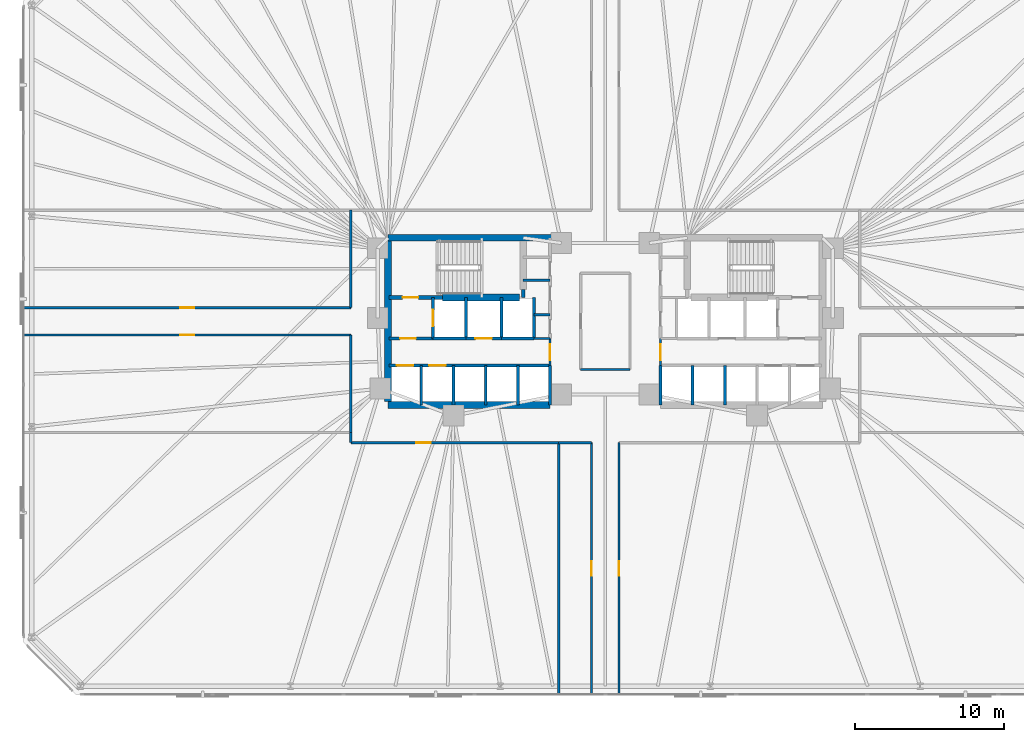
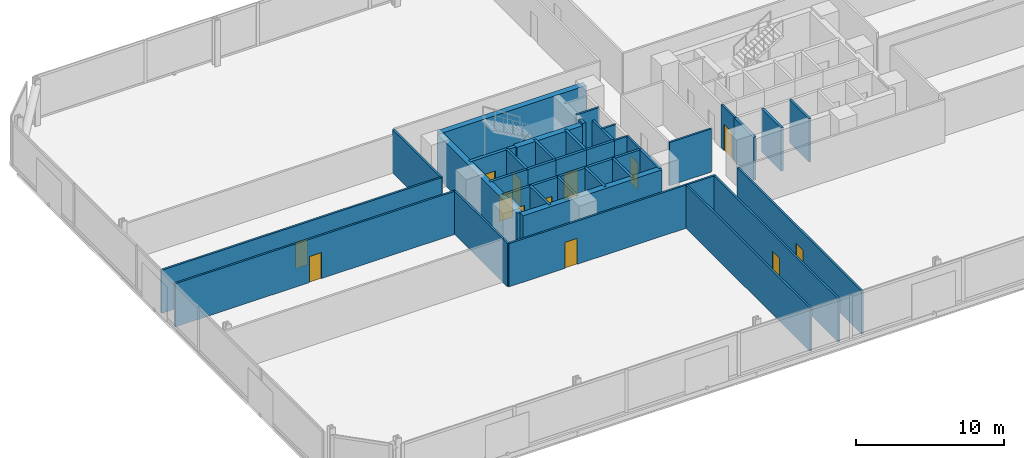
# One storey, part 12 of 16: 39 walls, 13 doors, 13 openings.
"""IFC4 building model written with IfcOpenShell, lengths in metres."""

from ifc_helpers import new_model, si_unit, direction, frame, frame_2d, origin, place, context, subcontext, project, spatial, rectangle, extrude, material, layer, layer_set, type_object, element, fill, save


model = new_model("IFC4")

# Units and contexts
model_context = context("Model", 3, precision=1e-05, world=origin(), true_north=direction((0.0, 1.0)))
body_context = subcontext(model_context, "Body", "Model", "MODEL_VIEW")
ifc_project = project(units=[si_unit("LENGTHUNIT", "METRE"), si_unit("AREAUNIT", "SQUARE_METRE"), si_unit("VOLUMEUNIT", "CUBIC_METRE"), si_unit("PLANEANGLEUNIT", "RADIAN"), si_unit("MASSUNIT", "GRAM", prefix="KILO")], contexts=[model_context])

# Site, building, storey
site_placement = place(None, origin())
site = spatial("IfcSite", under=ifc_project, at=site_placement, CompositionType="ELEMENT")
building_placement = place(site_placement, origin())
building = spatial("IfcBuilding", under=site, at=building_placement, Name="Menara Jurai Vektor", CompositionType="ELEMENT")
storey_placement = place(building_placement, frame((0.0, 0.0, 67.39990234375)))
storey = spatial("IfcBuildingStorey", under=building, at=storey_placement, Name="L16", CompositionType="ELEMENT", Elevation=67.39990234375)

# Wall, opening, door
ifc_material_1 = material(Name="Concrete C40/50", Category="concrete")
ifc_layer_1 = layer(ifc_material_1, 0.25)
ifc_layer_set_1 = layer_set([ifc_layer_1], Name="Concrete C40/50")
wall_type_1 = type_object("IfcWallType", Name="INT-WALL-CORE-250", PredefinedType="STANDARD", material=ifc_layer_set_1)
wall_1_placement = place(storey_placement, frame((-14.5, 1.60009765625, 0.0), z_axis=(0.0, 0.0, 1.0), x_axis=(1.0, 0.0, 0.0)))
wall_1 = element("IfcWall", 1, at=wall_1_placement, inside=storey, type_object=wall_type_1, Name="Interior Wall IW-250 L16", PredefinedType="STANDARD", context=body_context, shape_type="SweptSolid", body=[
    extrude(rectangle(XDim=3.60009765625, YDim=0.25, at=frame_2d((1.800048828125, 0.0))), origin(), (0.0, 0.0, 1.0), 3.5751953125),
])
opening_1_placement = place(wall_1_placement, frame((0.919921875, 0.0, 0.0)))
opening_1 = element("IfcOpeningElement", 2, at=opening_1_placement, cuts=wall_1, Name="Opening D-L16-ST1", PredefinedType="OPENING", context=body_context, shape_type="SweptSolid", body=[
    extrude(rectangle(XDim=1.050048828125, YDim=2.14990234375, at=frame_2d((0.52490234375, 1.074951171875))), frame((0.0, 0.135009765625, 0.0), z_axis=(0.0, -1.0, 0.0), x_axis=(1.0, 0.0, 0.0)), (0.0, 0.0, 1.0), 0.27001953125),
])
ifc_material_2 = material(Name="Fire-Rated Steel Door", Category="steel")
door_type_1 = type_object("IfcDoorType", Name="DR-STAIR-1050", OperationType="NOTDEFINED", PredefinedType="DOOR", material=ifc_material_2)
door_1_placement = place(opening_1_placement, origin())
door_1 = element("IfcDoor", 3, at=door_1_placement, inside=storey, type_object=door_type_1, Name="Exit Stair ST1 Door L16", OperationType="SINGLE_SWING_RIGHT", OverallHeight=2.14990234375, OverallWidth=1.050048828125, PredefinedType="DOOR", context=body_context, shape_type="SweptSolid", body=[
    extrude(rectangle(XDim=1.050048828125, YDim=2.14990234375, at=frame_2d((0.52490234375, 1.074951171875))), frame((0.0, 0.02490234375, 0.0), z_axis=(0.0, -1.0, 0.0), x_axis=(1.0, 0.0, 0.0)), (0.0, 0.0, 1.0), 0.050048828125),
])
fill(opening_1, door_1)

# Wall
wall_2_placement = place(storey_placement, frame((-5.5, 1.60009765625, 0.0), z_axis=(0.0, 0.0, 1.0), x_axis=(0.0, 1.0, 0.0)))
element("IfcWall", 4, at=wall_2_placement, inside=storey, type_object=wall_type_1, Name="Interior Wall IW-250 L16", PredefinedType="STANDARD", context=body_context, shape_type="SweptSolid", body=[
    extrude(rectangle(XDim=0.5498046875, YDim=0.25, at=frame_2d((0.27490234375, 0.0))), origin(), (0.0, 0.0, 1.0), 3.5751953125),
])

# Wall, opening, door
wall_3_placement = place(storey_placement, frame((-11.550048828125, -1.14990234375, 0.0), z_axis=(0.0, 0.0, 1.0), x_axis=(0.0, 1.0, 0.0)))
wall_3 = element("IfcWall", 5, at=wall_3_placement, inside=storey, type_object=wall_type_1, Name="Interior Wall IW-250 L16", PredefinedType="STANDARD", context=body_context, shape_type="SweptSolid", body=[
    extrude(rectangle(XDim=2.75, YDim=0.199951171875, at=frame_2d((1.375, 0.0))), origin(), (0.0, 0.0, 1.0), 3.5751953125),
])
opening_2_placement = place(wall_3_placement, frame((0.824951171875, 0.0, 0.0)))
opening_2 = element("IfcOpeningElement", 6, at=opening_2_placement, cuts=wall_3, Name="Opening LD-L16-FL1", PredefinedType="OPENING", context=body_context, shape_type="SweptSolid", body=[
    extrude(rectangle(XDim=1.10009765625, YDim=2.14990234375, at=frame_2d((0.550048828125, 1.074951171875))), frame((0.0, 0.10986328125, 0.0), z_axis=(0.0, -1.0, 0.0), x_axis=(1.0, 0.0, 0.0)), (0.0, 0.0, 1.0), 0.219970703125),
])
ifc_material_3 = material(Name="Stainless Steel Sliding Lift Landing Door", Category="steel")
door_type_2 = type_object("IfcDoorType", Name="DR-LIFT-FIRE-1100", OperationType="NOTDEFINED", PredefinedType="DOOR", material=ifc_material_3)
door_2_placement = place(opening_2_placement, origin())
door_2 = element("IfcDoor", 7, at=door_2_placement, inside=storey, type_object=door_type_2, Name="Lift Landing Door FL1 L16", OperationType="SLIDING_TO_RIGHT", OverallHeight=2.14990234375, OverallWidth=1.10009765625, PredefinedType="DOOR", context=body_context, shape_type="SweptSolid", body=[
    extrude(rectangle(XDim=1.10009765625, YDim=2.14990234375, at=frame_2d((0.550048828125, 1.074951171875))), frame((0.0, 0.02490234375, 0.0), z_axis=(0.0, -1.0, 0.0), x_axis=(1.0, 0.0, 0.0)), (0.0, 0.0, 1.0), 0.050048828125),
])
fill(opening_2, door_2)

# Wall
wall_4_placement = place(storey_placement, frame((-9.35009765625, -1.14990234375, 0.0), z_axis=(0.0, 0.0, 1.0), x_axis=(0.0, 1.0, 0.0)))
element("IfcWall", 8, at=wall_4_placement, inside=storey, type_object=wall_type_1, Name="Interior Wall IW-250 L16", PredefinedType="STANDARD", context=body_context, shape_type="SweptSolid", body=[
    extrude(rectangle(XDim=2.75, YDim=0.199951171875, at=frame_2d((1.375, 0.0))), origin(), (0.0, 0.0, 1.0), 3.5751953125),
])

# Wall, opening, door
wall_5_placement = place(storey_placement, frame((-14.5, -1.14990234375, 0.0), z_axis=(0.0, 0.0, 1.0), x_axis=(1.0, 0.0, 0.0)))
wall_5 = element("IfcWall", 9, at=wall_5_placement, inside=storey, type_object=wall_type_1, Name="Interior Wall IW-250 L16", PredefinedType="STANDARD", context=body_context, shape_type="SweptSolid", body=[
    extrude(rectangle(XDim=2.949951171875, YDim=0.199951171875, at=frame_2d((1.47509765625, 0.0))), origin(), (0.0, 0.0, 1.0), 3.5751953125),
])
opening_3_placement = place(wall_5_placement, frame((0.75, 0.0, 0.0)))
opening_3 = element("IfcOpeningElement", 10, at=opening_3_placement, cuts=wall_5, Name="Opening D-L16-FFW", PredefinedType="OPENING", context=body_context, shape_type="SweptSolid", body=[
    extrude(rectangle(XDim=1.050048828125, YDim=2.179931640625, at=frame_2d((0.52490234375, 1.08984375))), frame((0.0, 0.10986328125, 0.0), z_axis=(0.0, -1.0, 0.0), x_axis=(1.0, 0.0, 0.0)), (0.0, 0.0, 1.0), 0.219970703125),
])
ifc_material_4 = material(Name="Fire-Rated Timber Door", Category="wood")
door_type_3 = type_object("IfcDoorType", Name="DR-LOBBY-1050", OperationType="NOTDEFINED", PredefinedType="DOOR", material=ifc_material_4)
door_3_placement = place(opening_3_placement, origin())
door_3 = element("IfcDoor", 11, at=door_3_placement, inside=storey, type_object=door_type_3, Name="Fire Lift Lobby Door W L16", OperationType="SINGLE_SWING_RIGHT", OverallHeight=2.179931640625, OverallWidth=1.050048828125, PredefinedType="DOOR", context=body_context, shape_type="SweptSolid", body=[
    extrude(rectangle(XDim=1.050048828125, YDim=2.179931640625, at=frame_2d((0.52490234375, 1.08984375))), frame((0.0, 0.02490234375, 0.0), z_axis=(0.0, -1.0, 0.0), x_axis=(1.0, 0.0, 0.0)), (0.0, 0.0, 1.0), 0.050048828125),
])
fill(opening_3, door_3)

# Wall
wall_6_placement = place(storey_placement, frame((-11.550048828125, -1.14990234375, 0.0), z_axis=(0.0, 0.0, 1.0), x_axis=(1.0, 0.0, 0.0)))
element("IfcWall", 12, at=wall_6_placement, inside=storey, type_object=wall_type_1, Name="Interior Wall IW-250 L16", PredefinedType="STANDARD", context=body_context, shape_type="SweptSolid", body=[
    extrude(rectangle(XDim=2.199951171875, YDim=0.199951171875, at=frame_2d((1.10009765625, 0.0))), origin(), (0.0, 0.0, 1.0), 3.5751953125),
])

# Wall, opening, door
ifc_material_5 = material(Name="Gypsum Fireboard Partition", Category="gypsum")
ifc_layer_2 = layer(ifc_material_5, 0.14990234375)
ifc_layer_set_2 = layer_set([ifc_layer_2], Name="Gypsum Fireboard Partition")
wall_type_2 = type_object("IfcWallType", Name="INT-WALL-CORR-150", PredefinedType="PARTITIONING", material=ifc_layer_set_2)
wall_7_placement = place(storey_placement, frame((-3.699951171875, -2.949951171875, 0.0), z_axis=(0.0, 0.0, 1.0), x_axis=(0.0, 1.0, 0.0)))
wall_7 = element("IfcWall", 13, at=wall_7_placement, inside=storey, type_object=wall_type_2, Name="Interior Wall IW-150 L16", PredefinedType="PARTITIONING", context=body_context, shape_type="SweptSolid", body=[
    extrude(rectangle(XDim=1.800048828125, YDim=0.14990234375, at=frame_2d((0.89990234375, 0.0))), origin(), (0.0, 0.0, 1.0), 3.5751953125),
])
opening_4_placement = place(wall_7_placement, frame((0.35009765625, 0.0, 0.0)))
opening_4 = element("IfcOpeningElement", 14, at=opening_4_placement, cuts=wall_7, Name="Opening D-L16-LLW", PredefinedType="OPENING", context=body_context, shape_type="SweptSolid", body=[
    extrude(rectangle(XDim=1.050048828125, YDim=2.179931640625, at=frame_2d((0.52490234375, 1.08984375))), frame((0.0, 0.0849609375, 0.0), z_axis=(0.0, -1.0, 0.0), x_axis=(1.0, 0.0, 0.0)), (0.0, 0.0, 1.0), 0.169921875),
])
door_4_placement = place(opening_4_placement, origin())
door_4 = element("IfcDoor", 15, at=door_4_placement, inside=storey, type_object=door_type_3, Name="Lift Lobby Corridor Door W L16", OperationType="SINGLE_SWING_LEFT", OverallHeight=2.179931640625, OverallWidth=1.050048828125, PredefinedType="DOOR", context=body_context, shape_type="SweptSolid", body=[
    extrude(rectangle(XDim=1.050048828125, YDim=2.179931640625, at=frame_2d((0.52490234375, 1.08984375))), frame((0.0, 0.02490234375, 0.0), z_axis=(0.0, -1.0, 0.0), x_axis=(1.0, 0.0, 0.0)), (0.0, 0.0, 1.0), 0.050048828125),
])
fill(opening_4, door_4)

# Wall
wall_8_placement = place(storey_placement, frame((-4.7900390625, -1.14990234375, 0.0), z_axis=(0.0, 0.0, 1.0), x_axis=(1.0, 0.0, 0.0)))
element("IfcWall", 16, at=wall_8_placement, inside=storey, type_object=wall_type_2, Name="Interior Wall IW-150 L16", PredefinedType="PARTITIONING", context=body_context, shape_type="SweptSolid", body=[
    extrude(rectangle(XDim=1.090087890625, YDim=0.14990234375, at=frame_2d((0.544921875, 0.0))), origin(), (0.0, 0.0, 1.0), 3.5751953125),
])

# Wall, opening, door
wall_9_placement = place(storey_placement, frame((3.699951171875, -2.949951171875, 0.0), z_axis=(0.0, 0.0, 1.0), x_axis=(0.0, 1.0, 0.0)))
wall_9 = element("IfcWall", 17, at=wall_9_placement, inside=storey, type_object=wall_type_2, Name="Interior Wall IW-150 L16", PredefinedType="PARTITIONING", context=body_context, shape_type="SweptSolid", body=[
    extrude(rectangle(XDim=1.800048828125, YDim=0.14990234375, at=frame_2d((0.89990234375, 0.0))), origin(), (0.0, 0.0, 1.0), 3.5751953125),
])
opening_5_placement = place(wall_9_placement, frame((0.35009765625, 0.0, 0.0)))
opening_5 = element("IfcOpeningElement", 18, at=opening_5_placement, cuts=wall_9, Name="Opening D-L16-LLE", PredefinedType="OPENING", context=body_context, shape_type="SweptSolid", body=[
    extrude(rectangle(XDim=1.050048828125, YDim=2.179931640625, at=frame_2d((0.52490234375, 1.08984375))), frame((0.0, 0.0849609375, 0.0), z_axis=(0.0, -1.0, 0.0), x_axis=(1.0, 0.0, 0.0)), (0.0, 0.0, 1.0), 0.169921875),
])
door_5_placement = place(opening_5_placement, frame((1.050048828125, 0.0, 0.0), z_axis=(0.0, 0.0, 1.0), x_axis=(-1.0, 0.0, 0.0)))
door_5 = element("IfcDoor", 19, at=door_5_placement, inside=storey, type_object=door_type_3, Name="Lift Lobby Corridor Door E L16", OperationType="SINGLE_SWING_RIGHT", OverallHeight=2.179931640625, OverallWidth=1.050048828125, PredefinedType="DOOR", context=body_context, shape_type="SweptSolid", body=[
    extrude(rectangle(XDim=1.050048828125, YDim=2.179931640625, at=frame_2d((0.52490234375, 1.08984375))), frame((0.0, 0.02490234375, 0.0), z_axis=(0.0, -1.0, 0.0), x_axis=(1.0, 0.0, 0.0)), (0.0, 0.0, 1.0), 0.050048828125),
])
fill(opening_5, door_5)

# Walls
wall_10_placement = place(storey_placement, frame((-4.7900390625, 0.449951171875, 0.0), z_axis=(0.0, 0.0, 1.0), x_axis=(1.0, 0.0, 0.0)))
element("IfcWall", 20, at=wall_10_placement, inside=storey, type_object=wall_type_2, Name="Interior Wall IW-150 L16", PredefinedType="PARTITIONING", context=body_context, shape_type="SweptSolid", body=[
    extrude(rectangle(XDim=1.090087890625, YDim=0.14990234375, at=frame_2d((0.544921875, 0.0))), origin(), (0.0, 0.0, 1.0), 3.5751953125),
])
wall_11_placement = place(storey_placement, frame((-5.5, 2.75, 0.0), z_axis=(0.0, 0.0, 1.0), x_axis=(1.0, 0.0, 0.0)))
element("IfcWall", 21, at=wall_11_placement, inside=storey, type_object=wall_type_2, Name="Interior Wall IW-150 L16", PredefinedType="PARTITIONING", context=body_context, shape_type="SweptSolid", body=[
    extrude(rectangle(XDim=1.800048828125, YDim=0.14990234375, at=frame_2d((0.89990234375, 0.0))), origin(), (0.0, 0.0, 1.0), 3.5751953125),
])
wall_12_placement = place(storey_placement, frame((-1.64990234375, -3.22998046875, 0.0), z_axis=(0.0, 0.0, 1.0), x_axis=(1.0, 0.0, 0.0)))
element("IfcWall", 22, at=wall_12_placement, inside=storey, type_object=wall_type_2, Name="Interior Wall IW-150 L16", PredefinedType="PARTITIONING", context=body_context, shape_type="SweptSolid", body=[
    extrude(rectangle(XDim=3.2998046875, YDim=0.14990234375, at=frame_2d((1.64990234375, 0.0))), origin(), (0.0, 0.0, 1.0), 3.5751953125),
])
wall_13_placement = place(storey_placement, frame((-17.05908203125, -8.1298828125, 0.0), z_axis=(0.0, 0.0, 1.0), x_axis=(0.0, 1.0, 0.0)))
element("IfcWall", 23, at=wall_13_placement, inside=storey, type_object=wall_type_2, Name="Interior Wall IW-150 L16", PredefinedType="PARTITIONING", context=body_context, shape_type="SweptSolid", body=[
    extrude(rectangle(XDim=0.679931640625, YDim=0.14990234375, at=frame_2d((0.33984375, 0.0))), origin(), (0.0, 0.0, 1.0), 3.5751953125),
])

# Wall, opening, door
wall_14_placement = place(storey_placement, frame((-17.05908203125, -8.1298828125, 0.0), z_axis=(0.0, 0.0, 1.0), x_axis=(1.0, 0.0, 0.0)))
wall_14 = element("IfcWall", 24, at=wall_14_placement, inside=storey, type_object=wall_type_2, Name="Interior Wall IW-150 L16", PredefinedType="PARTITIONING", context=body_context, shape_type="SweptSolid", body=[
    extrude(rectangle(XDim=13.93896484375, YDim=0.14990234375, at=frame_2d((6.969482421875, 0.0))), origin(), (0.0, 0.0, 1.0), 3.5751953125),
])
opening_6_placement = place(wall_14_placement, frame((4.403564453125, 0.0, 0.0)))
opening_6 = element("IfcOpeningElement", 25, at=opening_6_placement, cuts=wall_14, Name="Opening D16-09", PredefinedType="OPENING", context=body_context, shape_type="SweptSolid", body=[
    extrude(rectangle(XDim=0.949951171875, YDim=2.14990234375, at=frame_2d((0.47509765625, 1.074951171875))), frame((0.0, 0.0849609375, 0.0), z_axis=(0.0, -1.0, 0.0), x_axis=(1.0, 0.0, 0.0)), (0.0, 0.0, 1.0), 0.169921875),
])
ifc_material_6 = material(Name="Solid Core Timber Fire Door", Category="wood")
door_type_4 = type_object("IfcDoorType", Name="DR-ENTRY-950", OperationType="NOTDEFINED", PredefinedType="DOOR", material=ifc_material_6)
door_6_placement = place(opening_6_placement, origin())
door_6 = element("IfcDoor", 26, at=door_6_placement, inside=storey, type_object=door_type_4, Name="Interior Door D16-09", OperationType="SINGLE_SWING_RIGHT", OverallHeight=2.14990234375, OverallWidth=0.949951171875, PredefinedType="DOOR", context=body_context, shape_type="SweptSolid", body=[
    extrude(rectangle(XDim=0.949951171875, YDim=2.14990234375, at=frame_2d((0.47509765625, 1.074951171875))), frame((0.0, 0.02490234375, 0.0), z_axis=(0.0, -1.0, 0.0), x_axis=(1.0, 0.0, 0.0)), (0.0, 0.0, 1.0), 0.050048828125),
])
fill(opening_6, door_6)

# Wall
wall_15_placement = place(storey_placement, frame((-3.1201171875, -8.1298828125, 0.0), z_axis=(0.0, 0.0, 1.0), x_axis=(1.0, 0.0, 0.0)))
element("IfcWall", 27, at=wall_15_placement, inside=storey, type_object=wall_type_2, Name="Interior Wall IW-150 L16", PredefinedType="PARTITIONING", context=body_context, shape_type="SweptSolid", body=[
    extrude(rectangle(XDim=2.2001953125, YDim=0.14990234375, at=frame_2d((1.10009765625, 0.0))), origin(), (0.0, 0.0, 1.0), 3.5751953125),
])

# Wall, opening, door
wall_16_placement = place(storey_placement, frame((-0.919921875, -25.0, 0.0), z_axis=(0.0, 0.0, 1.0), x_axis=(0.0, 1.0, 0.0)))
wall_16 = element("IfcWall", 28, at=wall_16_placement, inside=storey, type_object=wall_type_2, Name="Interior Wall IW-150 L16", PredefinedType="PARTITIONING", context=body_context, shape_type="SweptSolid", body=[
    extrude(rectangle(XDim=16.8701171875, YDim=0.14990234375, at=frame_2d((8.43505859375, 0.0))), origin(), (0.0, 0.0, 1.0), 3.5751953125),
])
opening_7_placement = place(wall_16_placement, frame((7.9599609375, 0.0, 0.0)))
opening_7 = element("IfcOpeningElement", 29, at=opening_7_placement, cuts=wall_16, Name="Opening D16-10", PredefinedType="OPENING", context=body_context, shape_type="SweptSolid", body=[
    extrude(rectangle(XDim=0.949951171875, YDim=2.14990234375, at=frame_2d((0.47509765625, 1.074951171875))), frame((0.0, 0.0849609375, 0.0), z_axis=(0.0, -1.0, 0.0), x_axis=(1.0, 0.0, 0.0)), (0.0, 0.0, 1.0), 0.169921875),
])
door_7_placement = place(opening_7_placement, origin())
door_7 = element("IfcDoor", 30, at=door_7_placement, inside=storey, type_object=door_type_4, Name="Interior Door D16-10", OperationType="SINGLE_SWING_LEFT", OverallHeight=2.14990234375, OverallWidth=0.949951171875, PredefinedType="DOOR", context=body_context, shape_type="SweptSolid", body=[
    extrude(rectangle(XDim=0.949951171875, YDim=2.14990234375, at=frame_2d((0.47509765625, 1.074951171875))), frame((0.0, 0.02490234375, 0.0), z_axis=(0.0, -1.0, 0.0), x_axis=(1.0, 0.0, 0.0)), (0.0, 0.0, 1.0), 0.050048828125),
])
fill(opening_7, door_7)

wall_17_placement = place(storey_placement, frame((0.919921875, -25.0, 0.0), z_axis=(0.0, 0.0, 1.0), x_axis=(0.0, 1.0, 0.0)))
wall_17 = element("IfcWall", 31, at=wall_17_placement, inside=storey, type_object=wall_type_2, Name="Interior Wall IW-150 L16", PredefinedType="PARTITIONING", context=body_context, shape_type="SweptSolid", body=[
    extrude(rectangle(XDim=16.8701171875, YDim=0.14990234375, at=frame_2d((8.43505859375, 0.0))), origin(), (0.0, 0.0, 1.0), 3.5751953125),
])
opening_8_placement = place(wall_17_placement, frame((7.9599609375, 0.0, 0.0)))
opening_8 = element("IfcOpeningElement", 32, at=opening_8_placement, cuts=wall_17, Name="Opening D16-11", PredefinedType="OPENING", context=body_context, shape_type="SweptSolid", body=[
    extrude(rectangle(XDim=0.949951171875, YDim=2.14990234375, at=frame_2d((0.47509765625, 1.074951171875))), frame((0.0, 0.0849609375, 0.0), z_axis=(0.0, -1.0, 0.0), x_axis=(1.0, 0.0, 0.0)), (0.0, 0.0, 1.0), 0.169921875),
])
door_8_placement = place(opening_8_placement, origin())
door_8 = element("IfcDoor", 33, at=door_8_placement, inside=storey, type_object=door_type_4, Name="Interior Door D16-11", OperationType="SINGLE_SWING_RIGHT", OverallHeight=2.14990234375, OverallWidth=0.949951171875, PredefinedType="DOOR", context=body_context, shape_type="SweptSolid", body=[
    extrude(rectangle(XDim=0.949951171875, YDim=2.14990234375, at=frame_2d((0.47509765625, 1.074951171875))), frame((0.0, 0.02490234375, 0.0), z_axis=(0.0, -1.0, 0.0), x_axis=(1.0, 0.0, 0.0)), (0.0, 0.0, 1.0), 0.050048828125),
])
fill(opening_8, door_8)

wall_18_placement = place(storey_placement, frame((-39.0, -0.919921875, 0.0), z_axis=(0.0, 0.0, 1.0), x_axis=(1.0, 0.0, 0.0)))
wall_18 = element("IfcWall", 34, at=wall_18_placement, inside=storey, type_object=wall_type_2, Name="Interior Wall IW-150 L16", PredefinedType="PARTITIONING", context=body_context, shape_type="SweptSolid", body=[
    extrude(rectangle(XDim=21.94091796875, YDim=0.14990234375, at=frame_2d((10.970458984375, 0.0))), origin(), (0.0, 0.0, 1.0), 3.5751953125),
])
opening_9_placement = place(wall_18_placement, frame((10.49560546875, 0.0, 0.0)))
opening_9 = element("IfcOpeningElement", 35, at=opening_9_placement, cuts=wall_18, Name="Opening D16-12", PredefinedType="OPENING", context=body_context, shape_type="SweptSolid", body=[
    extrude(rectangle(XDim=0.949951171875, YDim=2.14990234375, at=frame_2d((0.47509765625, 1.074951171875))), frame((0.0, 0.0849609375, 0.0), z_axis=(0.0, -1.0, 0.0), x_axis=(1.0, 0.0, 0.0)), (0.0, 0.0, 1.0), 0.169921875),
])
door_9_placement = place(opening_9_placement, origin())
door_9 = element("IfcDoor", 36, at=door_9_placement, inside=storey, type_object=door_type_4, Name="Interior Door D16-12", OperationType="SINGLE_SWING_LEFT", OverallHeight=2.14990234375, OverallWidth=0.949951171875, PredefinedType="DOOR", context=body_context, shape_type="SweptSolid", body=[
    extrude(rectangle(XDim=0.949951171875, YDim=2.14990234375, at=frame_2d((0.47509765625, 1.074951171875))), frame((0.0, 0.02490234375, 0.0), z_axis=(0.0, -1.0, 0.0), x_axis=(1.0, 0.0, 0.0)), (0.0, 0.0, 1.0), 0.050048828125),
])
fill(opening_9, door_9)

# Wall
wall_19_placement = place(storey_placement, frame((-17.05908203125, -7.449951171875, 0.0), z_axis=(0.0, 0.0, 1.0), x_axis=(0.0, 1.0, 0.0)))
element("IfcWall", 37, at=wall_19_placement, inside=storey, type_object=wall_type_2, Name="Interior Wall IW-150 L16", PredefinedType="PARTITIONING", context=body_context, shape_type="SweptSolid", body=[
    extrude(rectangle(XDim=6.530029296875, YDim=0.14990234375, at=frame_2d((3.26513671875, 0.0))), origin(), (0.0, 0.0, 1.0), 3.5751953125),
])

# Wall, opening, door
wall_20_placement = place(storey_placement, frame((-39.0, 0.919921875, 0.0), z_axis=(0.0, 0.0, 1.0), x_axis=(1.0, 0.0, 0.0)))
wall_20 = element("IfcWall", 38, at=wall_20_placement, inside=storey, type_object=wall_type_2, Name="Interior Wall IW-150 L16", PredefinedType="PARTITIONING", context=body_context, shape_type="SweptSolid", body=[
    extrude(rectangle(XDim=21.94091796875, YDim=0.14990234375, at=frame_2d((10.970458984375, 0.0))), origin(), (0.0, 0.0, 1.0), 3.5751953125),
])
opening_10_placement = place(wall_20_placement, frame((10.49560546875, 0.0, 0.0)))
opening_10 = element("IfcOpeningElement", 39, at=opening_10_placement, cuts=wall_20, Name="Opening D16-13", PredefinedType="OPENING", context=body_context, shape_type="SweptSolid", body=[
    extrude(rectangle(XDim=0.949951171875, YDim=2.14990234375, at=frame_2d((0.47509765625, 1.074951171875))), frame((0.0, 0.0849609375, 0.0), z_axis=(0.0, -1.0, 0.0), x_axis=(1.0, 0.0, 0.0)), (0.0, 0.0, 1.0), 0.169921875),
])
door_10_placement = place(opening_10_placement, origin())
door_10 = element("IfcDoor", 40, at=door_10_placement, inside=storey, type_object=door_type_4, Name="Interior Door D16-13", OperationType="SINGLE_SWING_RIGHT", OverallHeight=2.14990234375, OverallWidth=0.949951171875, PredefinedType="DOOR", context=body_context, shape_type="SweptSolid", body=[
    extrude(rectangle(XDim=0.949951171875, YDim=2.14990234375, at=frame_2d((0.47509765625, 1.074951171875))), frame((0.0, 0.02490234375, 0.0), z_axis=(0.0, -1.0, 0.0), x_axis=(1.0, 0.0, 0.0)), (0.0, 0.0, 1.0), 0.050048828125),
])
fill(opening_10, door_10)

# Walls
wall_21_placement = place(storey_placement, frame((-17.05908203125, 0.919921875, 0.0), z_axis=(0.0, 0.0, 1.0), x_axis=(0.0, 1.0, 0.0)))
element("IfcWall", 41, at=wall_21_placement, inside=storey, type_object=wall_type_2, Name="Interior Wall IW-150 L16", PredefinedType="PARTITIONING", context=body_context, shape_type="SweptSolid", body=[
    extrude(rectangle(XDim=6.530029296875, YDim=0.14990234375, at=frame_2d((3.26513671875, 0.0))), origin(), (0.0, 0.0, 1.0), 3.5751953125),
])
wall_22_placement = place(storey_placement, frame((-3.1201171875, -25.0, 0.0), z_axis=(0.0, 0.0, 1.0), x_axis=(0.0, 1.0, 0.0)))
element("IfcWall", 42, at=wall_22_placement, inside=storey, type_object=wall_type_2, Name="Interior Wall IW-150 L16", PredefinedType="PARTITIONING", context=body_context, shape_type="SweptSolid", body=[
    extrude(rectangle(XDim=16.8701171875, YDim=0.14990234375, at=frame_2d((8.43505859375, 0.0))), origin(), (0.0, 0.0, 1.0), 3.5751953125),
])
ifc_layer_3 = layer(ifc_material_1, 0.199951171875)
ifc_layer_set_3 = layer_set([ifc_layer_3], Name="Concrete C40/50")
wall_type_3 = type_object("IfcWallType", Name="INT-WALL-SHAFT-200", PredefinedType="STANDARD", material=ifc_layer_set_3)
wall_23_placement = place(storey_placement, frame((-3.699951171875, -5.60009765625, 0.0), z_axis=(0.0, 0.0, 1.0), x_axis=(0.0, 1.0, 0.0)))
element("IfcWall", 43, at=wall_23_placement, inside=storey, type_object=wall_type_3, Name="Interior Wall IW-200 L16", PredefinedType="STANDARD", context=body_context, shape_type="SweptSolid", body=[
    extrude(rectangle(XDim=2.650146484375, YDim=0.199951171875, at=frame_2d((1.3251953125, 0.0))), origin(), (0.0, 0.0, 1.0), 3.5751953125),
])
wall_24_placement = place(storey_placement, frame((-6.949951171875, -1.14990234375, 0.0), z_axis=(0.0, 0.0, 1.0), x_axis=(0.0, 1.0, 0.0)))
element("IfcWall", 44, at=wall_24_placement, inside=storey, type_object=wall_type_3, Name="Interior Wall IW-200 L16", PredefinedType="STANDARD", context=body_context, shape_type="SweptSolid", body=[
    extrude(rectangle(XDim=2.75, YDim=0.199951171875, at=frame_2d((1.375, 0.0))), origin(), (0.0, 0.0, 1.0), 3.5751953125),
])

# Wall, opening, door
wall_25_placement = place(storey_placement, frame((-9.35009765625, -1.14990234375, 0.0), z_axis=(0.0, 0.0, 1.0), x_axis=(1.0, 0.0, 0.0)))
wall_25 = element("IfcWall", 45, at=wall_25_placement, inside=storey, type_object=wall_type_3, Name="Interior Wall IW-200 L16", PredefinedType="STANDARD", context=body_context, shape_type="SweptSolid", body=[
    extrude(rectangle(XDim=2.400146484375, YDim=0.199951171875, at=frame_2d((1.2001953125, 0.0))), origin(), (0.0, 0.0, 1.0), 3.5751953125),
])
opening_11_placement = place(wall_25_placement, frame((0.64990234375, 0.0, 0.0)))
opening_11 = element("IfcOpeningElement", 46, at=opening_11_placement, cuts=wall_25, Name="Opening LD-L16-SVL1", PredefinedType="OPENING", context=body_context, shape_type="SweptSolid", body=[
    extrude(rectangle(XDim=1.10009765625, YDim=2.14990234375, at=frame_2d((0.550048828125, 1.074951171875))), frame((0.0, 0.10986328125, 0.0), z_axis=(0.0, -1.0, 0.0), x_axis=(1.0, 0.0, 0.0)), (0.0, 0.0, 1.0), 0.219970703125),
])
ifc_material_7 = material(Name="Anodised Stainless Sliding Lift Landing Door", Category="steel")
door_type_5 = type_object("IfcDoorType", Name="DR-LIFT-PASS-1100", OperationType="NOTDEFINED", PredefinedType="DOOR", material=ifc_material_7)
door_11_placement = place(opening_11_placement, origin())
door_11 = element("IfcDoor", 47, at=door_11_placement, inside=storey, type_object=door_type_5, Name="Lift Landing Door SVL1 L16", OperationType="SLIDING_TO_RIGHT", OverallHeight=2.14990234375, OverallWidth=1.10009765625, PredefinedType="DOOR", context=body_context, shape_type="SweptSolid", body=[
    extrude(rectangle(XDim=1.10009765625, YDim=2.14990234375, at=frame_2d((0.550048828125, 1.074951171875))), frame((0.0, 0.02490234375, 0.0), z_axis=(0.0, -1.0, 0.0), x_axis=(1.0, 0.0, 0.0)), (0.0, 0.0, 1.0), 0.050048828125),
])
fill(opening_11, door_11)

# Walls
wall_26_placement = place(storey_placement, frame((-4.7900390625, -1.14990234375, 0.0), z_axis=(0.0, 0.0, 1.0), x_axis=(0.0, 1.0, 0.0)))
element("IfcWall", 48, at=wall_26_placement, inside=storey, type_object=wall_type_3, Name="Interior Wall IW-200 L16", PredefinedType="STANDARD", context=body_context, shape_type="SweptSolid", body=[
    extrude(rectangle(XDim=2.75, YDim=0.199951171875, at=frame_2d((1.375, 0.0))), origin(), (0.0, 0.0, 1.0), 3.5751953125),
])
wall_27_placement = place(storey_placement, frame((-6.949951171875, -1.14990234375, 0.0), z_axis=(0.0, 0.0, 1.0), x_axis=(1.0, 0.0, 0.0)))
element("IfcWall", 49, at=wall_27_placement, inside=storey, type_object=wall_type_3, Name="Interior Wall IW-200 L16", PredefinedType="STANDARD", context=body_context, shape_type="SweptSolid", body=[
    extrude(rectangle(XDim=2.159912109375, YDim=0.199951171875, at=frame_2d((1.080078125, 0.0))), origin(), (0.0, 0.0, 1.0), 3.5751953125),
])

# Wall, openings, doors
wall_28_placement = place(storey_placement, frame((-14.5, -2.949951171875, 0.0), z_axis=(0.0, 0.0, 1.0), x_axis=(1.0, 0.0, 0.0)))
wall_28 = element("IfcWall", 50, at=wall_28_placement, inside=storey, type_object=wall_type_3, Name="Interior Wall IW-200 L16", PredefinedType="STANDARD", context=body_context, shape_type="SweptSolid", body=[
    extrude(rectangle(XDim=10.800048828125, YDim=0.199951171875, at=frame_2d((5.39990234375, 0.0))), origin(), (0.0, 0.0, 1.0), 3.5751953125),
])
opening_12_placement = place(wall_28_placement, frame((0.530029296875, 0.0, 0.0)))
opening_12 = element("IfcOpeningElement", 51, at=opening_12_placement, cuts=wall_28, Name="Opening LD-L16-PL1", PredefinedType="OPENING", context=body_context, shape_type="SweptSolid", body=[
    extrude(rectangle(XDim=1.10009765625, YDim=2.14990234375, at=frame_2d((0.550048828125, 1.074951171875))), frame((0.0, 0.10986328125, 0.0), z_axis=(0.0, -1.0, 0.0), x_axis=(1.0, 0.0, 0.0)), (0.0, 0.0, 1.0), 0.219970703125),
])
opening_13_placement = place(wall_28_placement, frame((2.68994140625, 0.0, 0.0)))
opening_13 = element("IfcOpeningElement", 52, at=opening_13_placement, cuts=wall_28, Name="Opening LD-L16-PL2", PredefinedType="OPENING", context=body_context, shape_type="SweptSolid", body=[
    extrude(rectangle(XDim=1.10009765625, YDim=2.14990234375, at=frame_2d((0.550048828125, 1.074951171875))), frame((0.0, 0.10986328125, 0.0), z_axis=(0.0, -1.0, 0.0), x_axis=(1.0, 0.0, 0.0)), (0.0, 0.0, 1.0), 0.219970703125),
])
door_12_placement = place(opening_12_placement, origin())
door_12 = element("IfcDoor", 53, at=door_12_placement, inside=storey, type_object=door_type_5, Name="Lift Landing Door PL1 L16", OperationType="SLIDING_TO_RIGHT", OverallHeight=2.14990234375, OverallWidth=1.10009765625, PredefinedType="DOOR", context=body_context, shape_type="SweptSolid", body=[
    extrude(rectangle(XDim=1.10009765625, YDim=2.14990234375, at=frame_2d((0.550048828125, 1.074951171875))), frame((0.0, 0.02490234375, 0.0), z_axis=(0.0, -1.0, 0.0), x_axis=(1.0, 0.0, 0.0)), (0.0, 0.0, 1.0), 0.050048828125),
])
fill(opening_12, door_12)
door_13_placement = place(opening_13_placement, origin())
door_13 = element("IfcDoor", 54, at=door_13_placement, inside=storey, type_object=door_type_5, Name="Lift Landing Door PL2 L16", OperationType="SLIDING_TO_RIGHT", OverallHeight=2.14990234375, OverallWidth=1.10009765625, PredefinedType="DOOR", context=body_context, shape_type="SweptSolid", body=[
    extrude(rectangle(XDim=1.10009765625, YDim=2.14990234375, at=frame_2d((0.550048828125, 1.074951171875))), frame((0.0, 0.02490234375, 0.0), z_axis=(0.0, -1.0, 0.0), x_axis=(1.0, 0.0, 0.0)), (0.0, 0.0, 1.0), 0.050048828125),
])
fill(opening_13, door_13)

# Walls
wall_29_placement = place(storey_placement, frame((-5.860107421875, -5.60009765625, 0.0), z_axis=(0.0, 0.0, 1.0), x_axis=(0.0, 1.0, 0.0)))
element("IfcWall", 55, at=wall_29_placement, inside=storey, type_object=wall_type_3, Name="Interior Wall IW-200 L16", PredefinedType="STANDARD", context=body_context, shape_type="SweptSolid", body=[
    extrude(rectangle(XDim=2.650146484375, YDim=0.199951171875, at=frame_2d((1.3251953125, 0.0))), origin(), (0.0, 0.0, 1.0), 3.5751953125),
])
for number, where, z_axis, x_axis, name in (
    (56, (-12.340087890625, -5.60009765625, 0.0), (0.0, 0.0, 1.0), (0.0, 1.0, 0.0), "Interior Wall IW-200 L16"),
    (57, (-10.179931640625, -5.60009765625, 0.0), (0.0, 0.0, 1.0), (0.0, 1.0, 0.0), "Interior Wall IW-200 L16"),
    (58, (-8.02001953125, -5.60009765625, 0.0), (0.0, 0.0, 1.0), (0.0, 1.0, 0.0), "Interior Wall IW-200 L16"),
):
    element("IfcWall", number, at=place(storey_placement, frame(where, z_axis=z_axis, x_axis=x_axis)), inside=storey, type_object=wall_type_3, Name=name, PredefinedType="STANDARD", context=body_context, shape_type="SweptSolid", body=[
        extrude(rectangle(XDim=2.650146484375, YDim=0.179931640625, at=frame_2d((1.3251953125, 0.0))), origin(), (0.0, 0.0, 1.0), 3.5751953125),
    ])
for number, where, z_axis, x_axis, name in (
    (59, (3.699951171875, -5.60009765625, 0.0), (0.0, 0.0, 1.0), (0.0, 1.0, 0.0), "Interior Wall IW-200 L16"),
    (60, (5.860107421875, -5.60009765625, 0.0), (0.0, 0.0, 1.0), (0.0, 1.0, 0.0), "Interior Wall IW-200 L16"),
):
    element("IfcWall", number, at=place(storey_placement, frame(where, z_axis=z_axis, x_axis=x_axis)), inside=storey, type_object=wall_type_3, Name=name, PredefinedType="STANDARD", context=body_context, shape_type="SweptSolid", body=[
        extrude(rectangle(XDim=2.650146484375, YDim=0.199951171875, at=frame_2d((1.3251953125, 0.0))), origin(), (0.0, 0.0, 1.0), 3.5751953125),
    ])
wall_30_placement = place(storey_placement, frame((8.02001953125, -5.60009765625, 0.0), z_axis=(0.0, 0.0, 1.0), x_axis=(0.0, 1.0, 0.0)))
element("IfcWall", 61, at=wall_30_placement, inside=storey, type_object=wall_type_3, Name="Interior Wall IW-200 L16", PredefinedType="STANDARD", context=body_context, shape_type="SweptSolid", body=[
    extrude(rectangle(XDim=2.650146484375, YDim=0.179931640625, at=frame_2d((1.3251953125, 0.0))), origin(), (0.0, 0.0, 1.0), 3.5751953125),
])
ifc_material_8 = material(Name="Concrete C60/75", Category="concrete")
ifc_layer_4 = layer(ifc_material_8, 0.449951171875)
ifc_layer_set_4 = layer_set([ifc_layer_4], Name="Concrete C60/75")
wall_type_4 = type_object("IfcWallType", Name="STR-WALL-CORE450", PredefinedType="SHEAR", material=ifc_layer_set_4)
wall_31_placement = place(storey_placement, frame((-14.56005859375, 5.60009765625, 0.0), z_axis=(0.0, 0.0, 1.0), x_axis=(1.0, 0.0, 0.0)))
element("IfcWall", 62, at=wall_31_placement, inside=storey, type_object=wall_type_4, Name="Core Shear Wall CW-W-N L16", PredefinedType="SHEAR", context=body_context, shape_type="SweptSolid", body=[
    extrude(rectangle(XDim=11.41015625, YDim=0.449951171875, at=frame_2d((5.705078125, 0.0))), origin(), (0.0, 0.0, 1.0), 3.5751953125),
])
wall_32_placement = place(storey_placement, frame((-14.56005859375, -5.60009765625, 0.0), z_axis=(0.0, 0.0, 1.0), x_axis=(1.0, 0.0, 0.0)))
element("IfcWall", 63, at=wall_32_placement, inside=storey, type_object=wall_type_4, Name="Core Shear Wall CW-W-S L16", PredefinedType="SHEAR", context=body_context, shape_type="SweptSolid", body=[
    extrude(rectangle(XDim=10.860107421875, YDim=0.449951171875, at=frame_2d((5.43017578125, 0.0))), origin(), (0.0, 0.0, 1.0), 3.5751953125),
])
wall_33_placement = place(storey_placement, frame((-14.56005859375, -5.375, 0.0), z_axis=(0.0, 0.0, 1.0), x_axis=(0.0, 1.0, 0.0)))
element("IfcWall", 64, at=wall_33_placement, inside=storey, type_object=wall_type_4, Name="Core Shear Wall CW-W-W L16", PredefinedType="SHEAR", context=body_context, shape_type="SweptSolid", body=[
    extrude(rectangle(XDim=10.75, YDim=0.449951171875, at=frame_2d((5.375, 0.0))), origin(), (0.0, 0.0, 1.0), 3.5751953125),
])
wall_34_placement = place(storey_placement, frame((-10.89990234375, 1.60009765625, 0.0), z_axis=(0.0, 0.0, 1.0), x_axis=(1.0, 0.0, 0.0)))
element("IfcWall", 65, at=wall_34_placement, inside=storey, type_object=wall_type_4, Name="Core Shear Wall CW-W-STS L16", PredefinedType="SHEAR", context=body_context, shape_type="SweptSolid", body=[
    extrude(rectangle(XDim=5.14990234375, YDim=0.449951171875, at=frame_2d((2.574951171875, 0.0))), origin(), (0.0, 0.0, 1.0), 3.5751953125),
])

save(model, "model.ifc")
